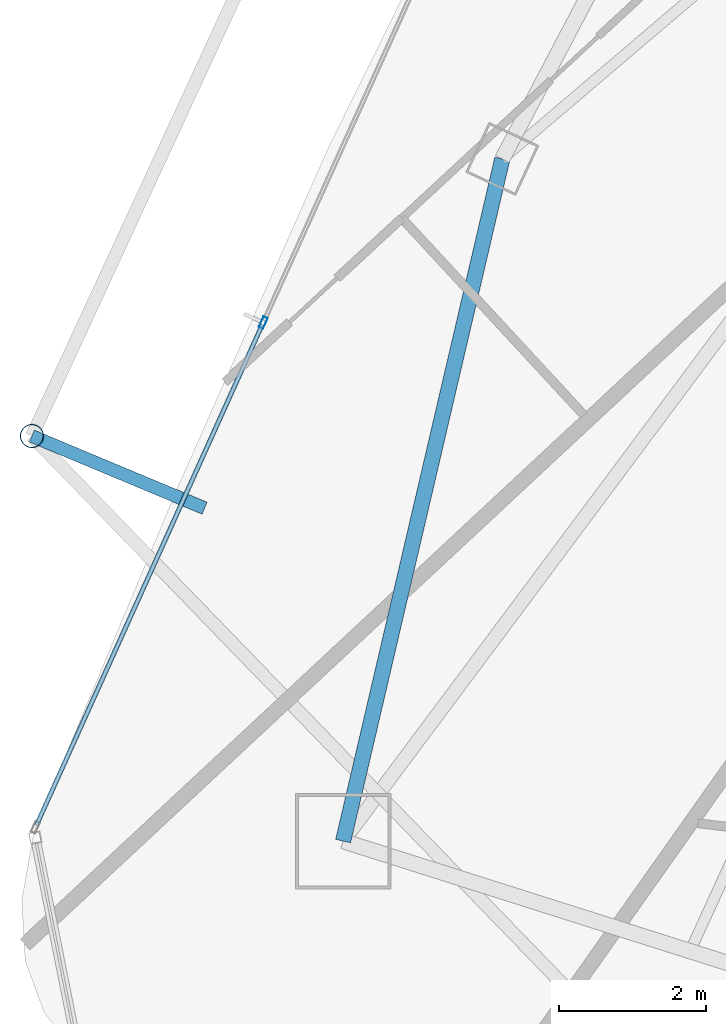
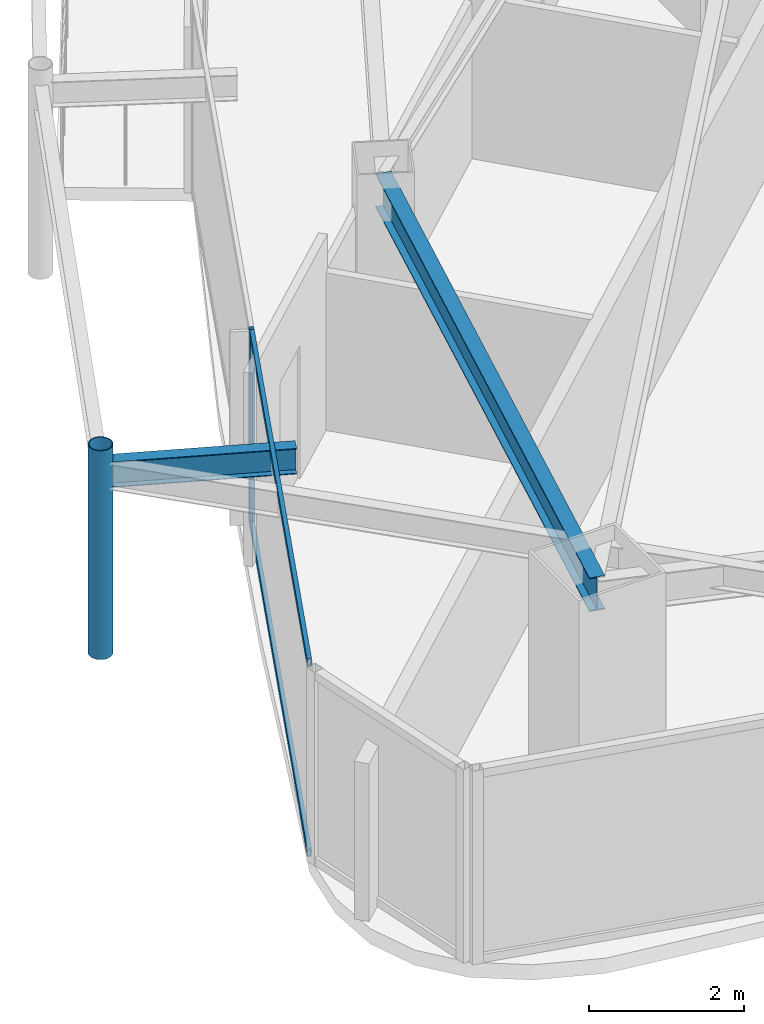
# One storey, part 5 of 32: 4 members, 2 beams, 1 element without a shape of its own.
"""IFC4 building model written with IfcOpenShell, lengths in metres."""

from ifc_helpers import new_model, si_unit, direction, frame, origin, origin_2d, place, context, subcontext, project, spatial, hollow_rectangle, hollow_circle, i_section, extrude, material, layer, layer_set, material_profile, profile_set, type_object, element, aggregate, save


model = new_model("IFC4")

# Units and contexts
model_context = context("Model", 3, precision=1e-05, world=origin(), true_north=direction((0.0, 1.0)))
body_context = subcontext(model_context, "Body", "Model", "MODEL_VIEW")
ifc_project = project(units=[si_unit("LENGTHUNIT", "METRE"), si_unit("AREAUNIT", "SQUARE_METRE"), si_unit("VOLUMEUNIT", "CUBIC_METRE"), si_unit("PLANEANGLEUNIT", "RADIAN"), si_unit("MASSUNIT", "GRAM", prefix="KILO")], contexts=[model_context])

# Site, building, storey
site_placement = place(None, origin())
site = spatial("IfcSite", under=ifc_project, at=site_placement, CompositionType="ELEMENT")
building_placement = place(site_placement, origin())
building = spatial("IfcBuilding", under=site, at=building_placement, Name="Orvanel Arch Residences", CompositionType="ELEMENT")
storey_placement = place(building_placement, frame((0.0, 0.0, 216.199951171875)))
storey = spatial("IfcBuildingStorey", under=building, at=storey_placement, Name="L61", CompositionType="ELEMENT", Elevation=216.199951171875)

# Curtain wall, member
ifc_material_1 = material(Name="Bronze-anodised aluminium AA6063-T6", Category="aluminium")
ifc_layer = layer(ifc_material_1, 0.175048828125)
ifc_layer_set = layer_set([ifc_layer], Name="Bronze-anodised aluminium AA6063-T6")
curtain_wall_type = type_object("IfcCurtainWallType", Name="CW4-HI-SYS", PredefinedType="NOTDEFINED", material=ifc_layer_set)
curtain_wall_placement = place(storey_placement, origin())
curtain_wall = element("IfcCurtainWall", 1, at=curtain_wall_placement, inside=storey, type_object=curtain_wall_type, Name="L61 CW4-HI-SYS Unitised Curtain Wall", PredefinedType="NOTDEFINED")
ifc_material_profile_1 = material_profile(ifc_material_1, hollow_rectangle(XDim=0.06494140625, YDim=0.159912109375, WallThickness=0.00390625, at=origin_2d()), Name="ALU160x65x4")
ifc_profile_set_1 = profile_set([ifc_material_profile_1], Name="Bronze-anodised aluminium AA6063-T6")
member_type_1 = type_object("IfcMemberType", Name="MUL-160x65", PredefinedType="MULLION", material=ifc_profile_set_1)
member_1_placement = place(storey_placement, frame((13.111572265625, 17.41259765625, 0.0), z_axis=(0.0, 0.0, 1.0), x_axis=(0.911480004164, -0.411344383709, 0.0)))
member_1 = element("IfcMember", 2, at=member_1_placement, type_object=member_type_1, Name="CW-S4 mullion 2", PredefinedType="MULLION", context=body_context, shape_type="SweptSolid", body=[
    extrude(hollow_rectangle(XDim=0.06494140625, YDim=0.159912109375, WallThickness=0.00390625, at=origin_2d()), origin(), (0.0, 0.0, 1.0), 3.06005859375),
])

# Beams
ifc_material_2 = material(Name="Structural steel AS/NZS 3679.1 Grade 300 (300 MPa)", Category="steel")
ifc_material_profile_2 = material_profile(ifc_material_2, i_section(OverallWidth=0.177978515625, OverallDepth=0.406005859375, WebThickness=0.0078125, FlangeThickness=0.0126953125, at=origin_2d()), Name="410UB59.7")
ifc_profile_set_2 = profile_set([ifc_material_profile_2], Name="Structural steel AS/NZS 3679.1 Grade 300 (300 MPa)")
beam_type_1 = type_object("IfcBeamType", Name="OB-410UB-EXT", PredefinedType="SPANDREL", material=ifc_profile_set_2)
beam_1_placement = place(storey_placement, frame((12.31298828125, 14.885009765625, 2.85693359375), z_axis=(-0.92267405935, 0.38558083485, 0.0), x_axis=(-0.38558083485, -0.92267405935, 0.0)))
element("IfcBeam", 3, at=beam_1_placement, inside=storey, type_object=beam_type_1, Name="L61 Outer Frame Radial Tie Beam 04", PredefinedType="SPANDREL", context=body_context, shape_type="SweptSolid", body=[
    extrude(i_section(OverallWidth=0.177978515625, OverallDepth=0.406005859375, WebThickness=0.0078125, FlangeThickness=0.0126953125, at=origin_2d()), origin(), (0.0, 0.0, 1.0), 2.549072265625),
])
ifc_material_profile_3 = material_profile(ifc_material_2, i_section(OverallWidth=0.208984375, OverallDepth=0.532958984375, WebThickness=0.01025390625, FlangeThickness=0.015625, at=origin_2d()), Name="530UB92.4")
ifc_profile_set_3 = profile_set([ifc_material_profile_3], Name="Structural steel AS/NZS 3679.1 Grade 300 (300 MPa)")
beam_type_2 = type_object("IfcBeamType", Name="SP-530UB", PredefinedType="SPANDREL", material=ifc_profile_set_3)
beam_2_placement = place(storey_placement, frame((16.366943359375, 19.64208984375, 2.79296875), z_axis=(-0.227236087167, -0.973839699688, 0.0), x_axis=(0.973839699688, -0.227236087167, 0.0)))
element("IfcBeam", 4, at=beam_2_placement, inside=storey, type_object=beam_type_2, Name="L61 Perimeter Spandrel Beam 01", PredefinedType="SPANDREL", context=body_context, shape_type="SweptSolid", body=[
    extrude(i_section(OverallWidth=0.208984375, OverallDepth=0.532958984375, WebThickness=0.01025390625, FlangeThickness=0.015625, at=origin_2d()), origin(), (0.0, 0.0, 1.0), 9.54052734375),
])

# Member
ifc_material_3 = material(Name="Structural steel AS/NZS 1163 C350L0 (Grade 350)", Category="steel")
ifc_material_profile_4 = material_profile(ifc_material_3, hollow_circle(Radius=0.162109375, WallThickness=0.0126953125, at=origin_2d()), Name="CHS324x12.7")
ifc_profile_set_4 = profile_set([ifc_material_profile_4], Name="Structural steel AS/NZS 1163 C350L0 (Grade 350)")
member_type_2 = type_object("IfcMemberType", Name="ST-324CHS-EXT", PredefinedType="STRUT", material=ifc_profile_set_4)
member_2_placement = place(storey_placement, frame((9.9609375, 15.867919921875, 0.0), z_axis=(0.0, 0.0, 1.0), x_axis=(1.0, 0.0, 0.0)))
element("IfcMember", 5, at=member_2_placement, inside=storey, type_object=member_type_2, Name="L61 Outer Perimeter Frame Post 04", PredefinedType="STRUT", context=body_context, shape_type="SweptSolid", body=[
    extrude(hollow_circle(Radius=0.162109375, WallThickness=0.0126953125, at=origin_2d()), origin(), (0.0, 0.0, 1.0), 3.300048828125),
])

ifc_material_profile_5 = material_profile(ifc_material_1, hollow_rectangle(XDim=0.06005859375, YDim=0.1201171875, WallThickness=0.00341796875, at=origin_2d()), Name="ALU120x60x3.5")
ifc_profile_set_5 = profile_set([ifc_material_profile_5], Name="Bronze-anodised aluminium AA6063-T6")
member_type_3 = type_object("IfcMemberType", Name="TRN-120x60", PredefinedType="USERDEFINED", material=ifc_profile_set_5)
member_3_placement = place(storey_placement, frame((13.09814453125, 17.3828125, 0.030029296875), z_axis=(-0.411358348457, -0.911473701845, 0.0), x_axis=(0.911473701845, -0.411358348457, 0.0)))
member_3 = element("IfcMember", 6, at=member_3_placement, type_object=member_type_3, Name="CW-S4 transom 2.1", ObjectType="TRANSOM", PredefinedType="USERDEFINED", context=body_context, shape_type="SweptSolid", body=[
    extrude(hollow_rectangle(XDim=0.06005859375, YDim=0.1201171875, WallThickness=0.00341796875, at=origin_2d()), origin(), (0.0, 0.0, 1.0), 7.476318359375),
])

member_4_placement = place(storey_placement, frame((13.09814453125, 17.3828125, 3.030029296875), z_axis=(-0.411358348457, -0.911473701845, 0.0), x_axis=(0.911473701845, -0.411358348457, 0.0)))
member_4 = element("IfcMember", 7, at=member_4_placement, type_object=member_type_3, Name="CW-S4 transom 2.2", ObjectType="TRANSOM", PredefinedType="USERDEFINED", context=body_context, shape_type="SweptSolid", body=[
    extrude(hollow_rectangle(XDim=0.06005859375, YDim=0.1201171875, WallThickness=0.00341796875, at=origin_2d()), origin(), (0.0, 0.0, 1.0), 7.476318359375),
])

aggregate(curtain_wall, [member_1, member_3, member_4])

save(model, "model.ifc")
